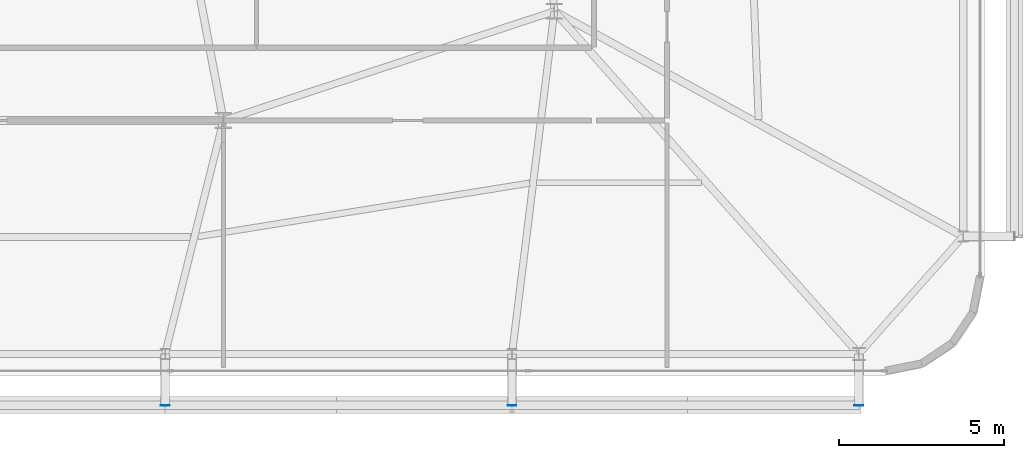
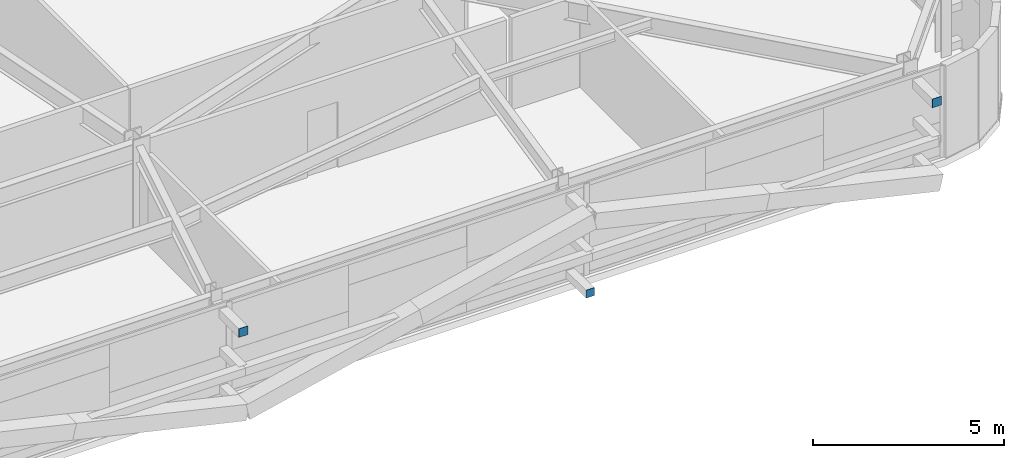
# One storey, part 34 of 44: 3 plates.
"""IFC4 building model written with IfcOpenShell, lengths in metres."""

from ifc_helpers import new_model, si_unit, direction, frame, origin, origin_2d, place, context, subcontext, project, spatial, rectangle, extrude, source, transform, mapped, material, layer, layer_set, type_object, element, save


model = new_model("IFC4")

# Units and contexts
model_context = context("Model", 3, precision=1e-05, world=origin(), true_north=direction((0.0, 1.0)))
body_context = subcontext(model_context, "Body", "Model", "MODEL_VIEW")
ifc_project = project(units=[si_unit("LENGTHUNIT", "METRE"), si_unit("AREAUNIT", "SQUARE_METRE"), si_unit("VOLUMEUNIT", "CUBIC_METRE"), si_unit("PLANEANGLEUNIT", "RADIAN"), si_unit("MASSUNIT", "GRAM", prefix="KILO")], contexts=[model_context])

# Site, building, storey
site_placement = place(None, origin())
site = spatial("IfcSite", under=ifc_project, at=site_placement, CompositionType="ELEMENT")
building_placement = place(site_placement, origin())
building = spatial("IfcBuilding", under=site, at=building_placement, Name="Taldren Reach Tower", CompositionType="ELEMENT")
storey_placement = place(building_placement, frame((0.0, 0.0, 38.85009765625)))
storey = spatial("IfcBuildingStorey", under=building, at=storey_placement, Name="L11", CompositionType="ELEMENT", Elevation=38.85009765625)

# Plates
ifc_material_1 = material(Name="Steel Gr 450 (C450L0)", Category="steel")
ifc_layer_1 = layer(ifc_material_1, 0.011962890625)
ifc_layer_set_1 = layer_set([ifc_layer_1], Name="Steel Gr 450 (C450L0)")
plate_type_1 = type_object("IfcPlateType", Name="PL-CAP-275", PredefinedType="SHEET", material=ifc_layer_set_1)
shared_shape_1 = source(origin(), body_context, "Body", "SweptSolid", [
    extrude(rectangle(XDim=0.27490234375, YDim=0.011962890625, at=origin_2d()), origin(), (0.0, 0.0, 1.0), 0.27490234375),
])
for number, where, z_axis, x_axis, name in (
    (1, (40.239990234375, 0.593994140625, 2.512451171875), (0.0, 0.0, 1.0), (1.0, 0.0, 0.0), "Tie strut end cap plate B1-S4 L11"),
    (2, (61.199951171875, 0.593994140625, 2.512451171875), (0.0, 0.0, 1.0), (1.0, 0.0, 0.0), "Tie strut end cap plate B1-S6 L11"),
):
    element("IfcPlate", number, at=place(storey_placement, frame(where, z_axis=z_axis, x_axis=x_axis)), inside=storey, type_object=plate_type_1, Name=name, PredefinedType="SHEET", context=body_context, shape_type="MappedRepresentation", body=[
        mapped(shared_shape_1, transform((0.0, 0.0, 0.0), scale=1.0)),
    ])
ifc_material_2 = material(Name="Steel Gr 350 (C350L0)", Category="steel")
ifc_layer_2 = layer(ifc_material_2, 0.011962890625)
ifc_layer_set_2 = layer_set([ifc_layer_2], Name="Steel Gr 350 (C350L0)")
plate_type_2 = type_object("IfcPlateType", Name="PL-CAP-250", PredefinedType="SHEET", material=ifc_layer_set_2)
shared_shape_2 = source(origin(), body_context, "Body", "SweptSolid", [
    extrude(rectangle(XDim=0.25, YDim=0.011962890625, at=origin_2d()), origin(), (0.0, 0.0, 1.0), 0.25),
])
plate_placement = place(storey_placement, frame((50.719970703125, 0.593994140625, 0.094970703125), z_axis=(0.0, 0.0, 1.0), x_axis=(1.0, 0.0, 0.0)))
element("IfcPlate", 3, at=plate_placement, inside=storey, type_object=plate_type_2, Name="Tie strut end cap plate B1-S5 L11", PredefinedType="SHEET", context=body_context, shape_type="MappedRepresentation", body=[
    mapped(shared_shape_2, transform((0.0, 0.0, 0.0), scale=1.0)),
])

save(model, "model.ifc")
